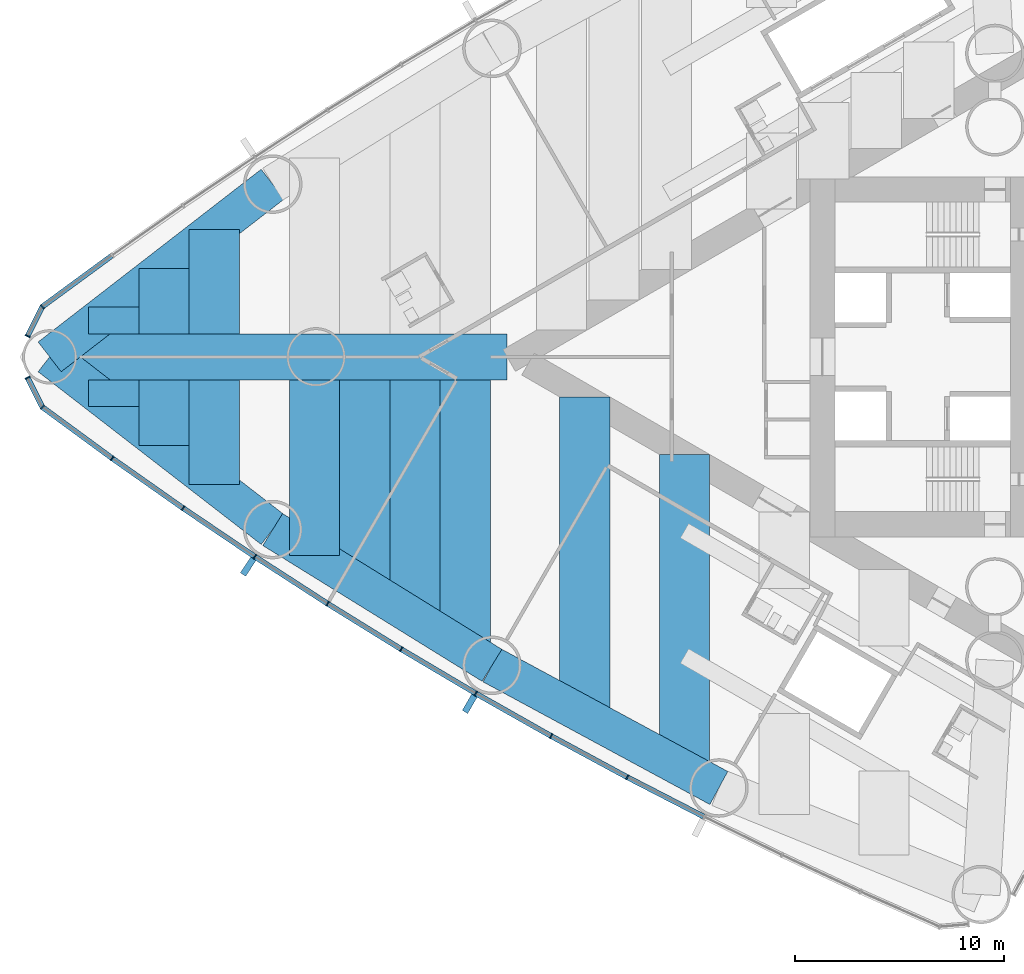
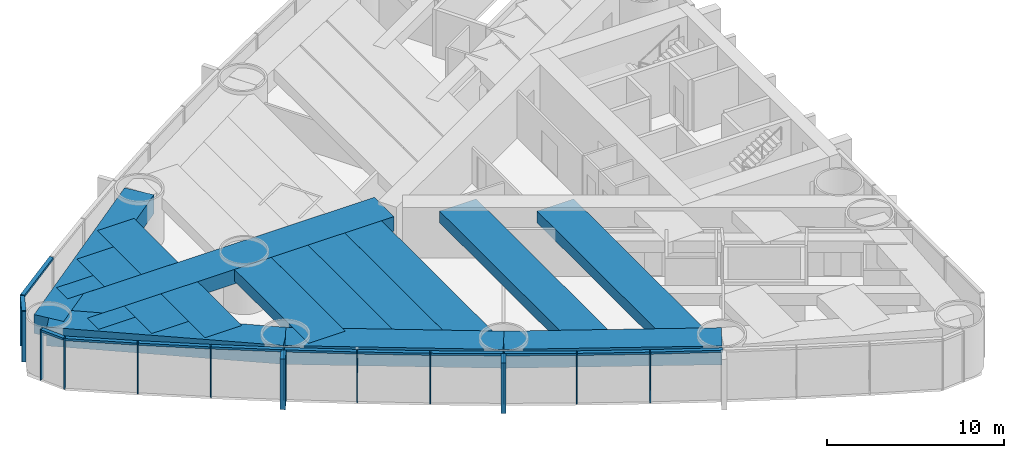
# One storey, part 2 of 18: 26 members, 17 beams, 2 elements without a shape of their own.
"""IFC4 building model written with IfcOpenShell, lengths in metres."""

import ifcopenshell
import ifcopenshell.guid

model = None  # the IFC model being written
_history = None  # IfcOwnerHistory: only IFC2X3 demands one
_inside = {}  # id of a spatial element -> (the spatial element, [elements in it])
_under = {}  # id of a project, library or spatial element -> (it, [spatial elements below it])
_declared = {}  # id of a project -> (the project, [libraries it declares])
_typed = {}  # id of a type object -> (the type object, [elements of that type])
_made_of = {}  # id of a material, layer set ... -> (it, [elements and type objects made of it])


def new_model(schema):
    """Start an empty IFC model of exactly this schema.

    Asked for "IFC4X3", IfcOpenShell would pick the latest addendum, in which some entities
    have other attributes; the version numbers below select the first issue.
    IFC2X3 requires an IfcOwnerHistory on every rooted entity: one is made here for all.
    """
    global model, _history
    if schema == "IFC4X3":
        model = ifcopenshell.file(schema_version=(4, 3, 0, 0))
    else:
        model = ifcopenshell.file(schema=schema)
    _inside.clear()
    _under.clear()
    _declared.clear()
    _typed.clear()
    _made_of.clear()
    _history = None
    if model.schema == "IFC2X3":
        org = make("IfcOrganization", Name="unknown")
        user = make(
            "IfcPersonAndOrganization",
            ThePerson=make("IfcPerson", FamilyName="unknown"),
            TheOrganization=org,
        )
        app = make(
            "IfcApplication",
            ApplicationDeveloper=org,
            Version="unknown",
            ApplicationFullName="unknown",
            ApplicationIdentifier="unknown",
        )
        _history = make(
            "IfcOwnerHistory",
            OwningUser=user,
            OwningApplication=app,
            ChangeAction="ADDED",
            CreationDate=0,
        )
    return model


def make(cls, **values):
    """One entity of the class cls with the attributes given. An attribute that is None is left unset."""
    return model.create_entity(
        cls, **{name: value for name, value in values.items() if value is not None}
    )


def rooted(cls, **values):
    """An entity with a GlobalId (a new one), such as an element, a storey or a relation."""
    return make(cls, GlobalId=ifcopenshell.guid.new(), OwnerHistory=_history, **values)


def si_unit(unit_type, name, prefix=None):
    """IfcSIUnit, for example si_unit("LENGTHUNIT", "METRE", prefix="MILLI")."""
    return make("IfcSIUnit", UnitType=unit_type, Prefix=prefix, Name=name)


def assignment(units):
    """IfcUnitAssignment: the units of a project."""
    return None if units is None else make("IfcUnitAssignment", Units=units)


def point(xyz):
    """IfcCartesianPoint."""
    return None if xyz is None else make("IfcCartesianPoint", Coordinates=xyz)


def direction(xyz):
    """IfcDirection."""
    return None if xyz is None else make("IfcDirection", DirectionRatios=xyz)


def frame(location, z_axis=None, x_axis=None):
    """IfcAxis2Placement3D, a coordinate frame: its origin and axes. An axis left out is left unset."""
    return make(
        "IfcAxis2Placement3D",
        Location=point(location),
        Axis=direction(z_axis),
        RefDirection=direction(x_axis),
    )


def frame_2d(location, x_axis=None):
    """IfcAxis2Placement2D, a coordinate frame in the plane: its origin and x axis."""
    return make(
        "IfcAxis2Placement2D", Location=point(location), RefDirection=direction(x_axis)
    )


def origin():
    """The frame at (0, 0, 0) with its axes left unset."""
    return frame((0.0, 0.0, 0.0))


def origin_2d():
    """The frame at (0, 0) in the plane with its x axis left unset."""
    return frame_2d((0.0, 0.0))


def place(relative_to, where):
    """IfcLocalPlacement: puts the frame where relative to a parent placement (None: the world)."""
    return make(
        "IfcLocalPlacement", PlacementRelTo=relative_to, RelativePlacement=where
    )


def context(
    kind, dimensions, precision=None, world=None, true_north=None, identifier=None
):
    """IfcGeometricRepresentationContext, for example the 3D "Model" context."""
    return make(
        "IfcGeometricRepresentationContext",
        ContextIdentifier=identifier,
        ContextType=kind,
        CoordinateSpaceDimension=dimensions,
        Precision=precision,
        WorldCoordinateSystem=world,
        TrueNorth=true_north,
    )


def subcontext(parent, identifier, kind, view, scale=None):
    """IfcGeometricRepresentationSubContext, for example "Body" below "Model"."""
    return make(
        "IfcGeometricRepresentationSubContext",
        ContextIdentifier=identifier,
        ContextType=kind,
        ParentContext=parent,
        TargetScale=scale,
        TargetView=view,
    )


def project(units=None, contexts=None):
    """IfcProject with its units and contexts."""
    return rooted(
        "IfcProject",
        Name="project",
        RepresentationContexts=contexts,
        UnitsInContext=assignment(units),
    )


def spatial(cls, under=None, at=None, **own):
    """A site, building, storey or space (cls), placed at a placement, below another one or the project."""
    s = rooted(cls, ObjectPlacement=at, **own)
    if under is not None:
        _under.setdefault(under.id(), (under, []))[1].append(s)
    return s


def profile(cls, at=None, kind="AREA", **sizes):
    """A parametric profile (cls). Its sizes go by their IFC names, for example OverallWidth=200.0."""
    return make(cls, ProfileType=kind, Position=at, **sizes)


def rectangle(**sizes):
    """IfcRectangleProfileDef."""
    return profile("IfcRectangleProfileDef", **sizes)


def extrude(swept, where, along, depth):
    """IfcExtrudedAreaSolid: the profile swept, set in the frame where, extruded along a direction by depth."""
    return make(
        "IfcExtrudedAreaSolid",
        SweptArea=swept,
        Position=where,
        ExtrudedDirection=direction(along),
        Depth=depth,
    )


def shape(context_of_items, identifier, shape_type, items):
    """IfcShapeRepresentation: the items that make up one representation, for example the "Body"."""
    return make(
        "IfcShapeRepresentation",
        ContextOfItems=context_of_items,
        RepresentationIdentifier=identifier,
        RepresentationType=shape_type,
        Items=items,
    )


def material(Name=None, Category=None):
    """IfcMaterial."""
    return make("IfcMaterial", Name=Name, Category=Category)


def material_profile(
    of_material, cross_section, Name=None, Category=None, Priority=None
):
    """IfcMaterialProfile: a cross section and its material."""
    return make(
        "IfcMaterialProfile",
        Name=Name,
        Material=of_material,
        Profile=cross_section,
        Priority=Priority,
        Category=Category,
    )


def profile_set(profiles, Name=None, composite=None):
    """IfcMaterialProfileSet."""
    return make(
        "IfcMaterialProfileSet",
        Name=Name,
        MaterialProfiles=profiles,
        CompositeProfile=composite,
    )


def made_of(thing, what):
    """Note that an element or type object is made of a material, layer set ...; save() writes the relation."""
    if what is not None:
        _made_of.setdefault(what.id(), (what, []))[1].append(thing)
    return thing


def type_object(cls, material=None, **own):
    """A type object (cls), such as IfcWallType, which elements share."""
    return made_of(rooted(cls, **own), material)


def element(
    cls,
    number,
    at=None,
    inside=None,
    cuts=None,
    type_object=None,
    material=None,
    context=None,
    identifier="Body",
    shape_type=None,
    held_by="IfcProductDefinitionShape",
    body=None,
    shapes=None,
    **own,
):
    """One element of the class cls, such as IfcWall. Its Tag is "e" and its number.

    at: its placement. inside: the storey or other place that contains it. cuts: it is an
    opening in that element (IfcRelVoidsElement). A single representation is given by context,
    identifier, shape_type and body (its items); several are given by shapes. held_by: the class
    of the entity that holds the representations. save() writes the other relations.
    """
    e = rooted(cls, Tag="e%d" % number, ObjectPlacement=at, **own)
    if body is not None:
        shapes = [shape(context, identifier, shape_type, body)]
    if shapes is not None:
        e.Representation = make(held_by, Representations=shapes)
    if inside is not None:
        _inside.setdefault(inside.id(), (inside, []))[1].append(e)
    if cuts is not None:
        rooted(
            "IfcRelVoidsElement", RelatingBuildingElement=cuts, RelatedOpeningElement=e
        )
    if type_object is not None:
        _typed.setdefault(type_object.id(), (type_object, []))[1].append(e)
    return made_of(e, material)


def aggregate(whole, parts):
    """IfcRelAggregates: a whole, such as a stair, and the parts it consists of."""
    return rooted("IfcRelAggregates", RelatingObject=whole, RelatedObjects=parts)


def save(model, path):
    """Write the relations noted so far, then the file.

    IfcRelAggregates (storeys below a building ...), IfcRelContainedInSpatialStructure (elements
    in a storey), IfcRelDefinesByType, IfcRelAssociatesMaterial and IfcRelDeclares: one each for
    every whole, place, type object, material and project.
    """
    for whole, parts in _under.values():
        aggregate(whole, parts)
    for where, things in _inside.values():
        rooted(
            "IfcRelContainedInSpatialStructure",
            RelatedElements=things,
            RelatingStructure=where,
        )
    for kind, things in _typed.values():
        rooted("IfcRelDefinesByType", RelatedObjects=things, RelatingType=kind)
    for what, things in _made_of.values():
        rooted("IfcRelAssociatesMaterial", RelatedObjects=things, RelatingMaterial=what)
    for by, libraries in _declared.values():
        rooted("IfcRelDeclares", RelatingContext=by, RelatedDefinitions=libraries)
    model.write(path)


model = new_model("IFC4")

# Units and contexts
model_context = context("Model", 3, precision=1e-05, world=origin(), true_north=direction((0.0, 1.0)))
body_context = subcontext(model_context, "Body", "Model", "MODEL_VIEW")
ifc_project = project(units=[si_unit("LENGTHUNIT", "METRE"), si_unit("AREAUNIT", "SQUARE_METRE"), si_unit("VOLUMEUNIT", "CUBIC_METRE"), si_unit("PLANEANGLEUNIT", "RADIAN"), si_unit("MASSUNIT", "GRAM", prefix="KILO")], contexts=[model_context])

# Site, building, storey
site_placement = place(None, origin())
site = spatial("IfcSite", under=ifc_project, at=site_placement, CompositionType="ELEMENT")
building_placement = place(site_placement, origin())
building = spatial("IfcBuilding", under=site, at=building_placement, Name="Lancet Gate Hotel", CompositionType="ELEMENT")
storey_placement = place(building_placement, frame((0.0, 0.0, 53.0)))
storey = spatial("IfcBuildingStorey", under=building, at=storey_placement, Name="L13", CompositionType="ELEMENT", Elevation=53.0)

# Curtain wall, members
ifc_material_1 = material(Name="Aluminium curtain wall", Category="aluminium")
curtain_wall_type = type_object("IfcCurtainWallType", Name="Tower unitised curtain wall", PredefinedType="USERDEFINED", material=ifc_material_1)
curtain_wall_1_placement = place(storey_placement, origin())
curtain_wall_1 = element("IfcCurtainWall", 1, at=curtain_wall_1_placement, inside=storey, type_object=curtain_wall_type, Name="T1 L13 curtain wall 2", ObjectType="UNITISED CURTAIN WALL", PredefinedType="USERDEFINED")
ifc_material_2 = material(Name="Aluminium mullion", Category="aluminium")
ifc_material_profile_1 = material_profile(ifc_material_2, rectangle(XDim=0.06494140625, YDim=0.25, at=origin_2d()), Name="MULLION 65x250")
ifc_profile_set_1 = profile_set([ifc_material_profile_1], Name="Aluminium mullion")
member_type_1 = type_object("IfcMemberType", Name="Aluminium mullion 65x250", PredefinedType="MULLION", material=ifc_profile_set_1)
member_1_placement = place(storey_placement, frame((-74.5830078125, 2.401611328125, 0.0), z_axis=(0.0, 0.0, 1.0), x_axis=(-0.723695580132, -0.690119342793, 0.0)))
member_1 = element("IfcMember", 2, at=member_1_placement, type_object=member_type_1, Name="T1 L13 curtain wall 2 mullion 14", PredefinedType="MULLION", context=body_context, shape_type="SweptSolid", body=[
    extrude(rectangle(XDim=0.06494140625, YDim=0.25, at=origin_2d()), origin(), (0.0, 0.0, 1.0), 3.5),
])
member_2_placement = place(storey_placement, frame((-75.287109375, 0.994873046875, 0.0), z_axis=(0.0, 0.0, 1.0), x_axis=(-0.447628324726, -0.89421970617, 0.0)))
member_2 = element("IfcMember", 3, at=member_2_placement, type_object=member_type_1, Name="T1 L13 curtain wall 2 mullion 15", PredefinedType="MULLION", context=body_context, shape_type="SweptSolid", body=[
    extrude(rectangle(XDim=0.06494140625, YDim=0.25, at=origin_2d()), origin(), (0.0, 0.0, 1.0), 3.5),
])

curtain_wall_2_placement = place(storey_placement, origin())
curtain_wall_2 = element("IfcCurtainWall", 4, at=curtain_wall_2_placement, inside=storey, type_object=curtain_wall_type, Name="T1 L13 curtain wall 3", ObjectType="UNITISED CURTAIN WALL", PredefinedType="USERDEFINED")
member_3_placement = place(storey_placement, frame((-75.287109375, -0.994873046875, 0.0), z_axis=(0.0, 0.0, 1.0), x_axis=(0.447628324726, -0.89421970617, 0.0)))
member_3 = element("IfcMember", 5, at=member_3_placement, type_object=member_type_1, Name="T1 L13 curtain wall 3 mullion 1", PredefinedType="MULLION", context=body_context, shape_type="SweptSolid", body=[
    extrude(rectangle(XDim=0.06494140625, YDim=0.25, at=origin_2d()), origin(), (0.0, 0.0, 1.0), 3.5),
])
member_4_placement = place(storey_placement, frame((-74.5830078125, -2.401611328125, 0.0), z_axis=(0.0, 0.0, 1.0), x_axis=(0.723695580132, -0.690119342793, 0.0)))
member_4 = element("IfcMember", 6, at=member_4_placement, type_object=member_type_1, Name="T1 L13 curtain wall 3 mullion 2", PredefinedType="MULLION", context=body_context, shape_type="SweptSolid", body=[
    extrude(rectangle(XDim=0.06494140625, YDim=0.25, at=origin_2d()), origin(), (0.0, 0.0, 1.0), 3.5),
])
member_5_placement = place(storey_placement, frame((-71.244384765625, -4.85009765625, 0.0), z_axis=(0.0, 0.0, 1.0), x_axis=(0.812146623168, -0.583453393578, 0.0)))
member_5 = element("IfcMember", 7, at=member_5_placement, type_object=member_type_1, Name="T1 L13 curtain wall 3 mullion 3", PredefinedType="MULLION", context=body_context, shape_type="SweptSolid", body=[
    extrude(rectangle(XDim=0.06494140625, YDim=0.25, at=origin_2d()), origin(), (0.0, 0.0, 1.0), 3.5),
])
member_6_placement = place(storey_placement, frame((-67.858154296875, -7.232666015625, 0.0), z_axis=(0.0, 0.0, 1.0), x_axis=(0.823425148573, -0.56742490666, 0.0)))
member_6 = element("IfcMember", 8, at=member_6_placement, type_object=member_type_1, Name="T1 L13 curtain wall 3 mullion 4", PredefinedType="MULLION", context=body_context, shape_type="SweptSolid", body=[
    extrude(rectangle(XDim=0.06494140625, YDim=0.25, at=origin_2d()), origin(), (0.0, 0.0, 1.0), 3.5),
])
member_7_placement = place(storey_placement, frame((-64.42626953125, -9.548583984375, 0.0), z_axis=(0.0, 0.0, 1.0), x_axis=(0.834387381945, -0.55117846189, 0.0)))
member_7 = element("IfcMember", 9, at=member_7_placement, type_object=member_type_1, Name="T1 L13 curtain wall 3 mullion 5", PredefinedType="MULLION", context=body_context, shape_type="SweptSolid", body=[
    extrude(rectangle(XDim=0.06494140625, YDim=0.25, at=origin_2d()), origin(), (0.0, 0.0, 1.0), 3.5),
])
member_8_placement = place(storey_placement, frame((-60.949462890625, -11.796630859375, 0.0), z_axis=(0.0, 0.0, 1.0), x_axis=(0.845029112489, -0.534720299827, 0.0)))
member_8 = element("IfcMember", 10, at=member_8_placement, type_object=member_type_1, Name="T1 L13 curtain wall 3 mullion 6", PredefinedType="MULLION", context=body_context, shape_type="SweptSolid", body=[
    extrude(rectangle(XDim=0.06494140625, YDim=0.25, at=origin_2d()), origin(), (0.0, 0.0, 1.0), 3.5),
])
member_9_placement = place(storey_placement, frame((-57.42919921875, -13.97607421875, 0.0), z_axis=(0.0, 0.0, 1.0), x_axis=(0.855346252548, -0.518056742309, 0.0)))
member_9 = element("IfcMember", 11, at=member_9_placement, type_object=member_type_1, Name="T1 L13 curtain wall 3 mullion 7", PredefinedType="MULLION", context=body_context, shape_type="SweptSolid", body=[
    extrude(rectangle(XDim=0.06494140625, YDim=0.25, at=origin_2d()), origin(), (0.0, 0.0, 1.0), 3.5),
])
member_10_placement = place(storey_placement, frame((-53.866943359375, -16.086181640625, 0.0), z_axis=(0.0, 0.0, 1.0), x_axis=(0.86533483912, -0.501194190115, 0.0)))
member_10 = element("IfcMember", 12, at=member_10_placement, type_object=member_type_1, Name="T1 L13 curtain wall 3 mullion 8", PredefinedType="MULLION", context=body_context, shape_type="SweptSolid", body=[
    extrude(rectangle(XDim=0.06494140625, YDim=0.25, at=origin_2d()), origin(), (0.0, 0.0, 1.0), 3.5),
])
member_11_placement = place(storey_placement, frame((-50.26416015625, -18.1259765625, 0.0), z_axis=(0.0, 0.0, 1.0), x_axis=(0.874991035403, -0.484139120464, 0.0)))
member_11 = element("IfcMember", 13, at=member_11_placement, type_object=member_type_1, Name="T1 L13 curtain wall 3 mullion 9", PredefinedType="MULLION", context=body_context, shape_type="SweptSolid", body=[
    extrude(rectangle(XDim=0.06494140625, YDim=0.25, at=origin_2d()), origin(), (0.0, 0.0, 1.0), 3.5),
])
member_12_placement = place(storey_placement, frame((-46.6220703125, -20.094970703125, 0.0), z_axis=(0.0, 0.0, 1.0), x_axis=(0.884311132302, -0.466898084475, 0.0)))
member_12 = element("IfcMember", 14, at=member_12_placement, type_object=member_type_1, Name="T1 L13 curtain wall 3 mullion 10", PredefinedType="MULLION", context=body_context, shape_type="SweptSolid", body=[
    extrude(rectangle(XDim=0.06494140625, YDim=0.25, at=origin_2d()), origin(), (0.0, 0.0, 1.0), 3.5),
])

# Member
ifc_material_3 = material(Name="Aluminium transom", Category="aluminium")
ifc_material_profile_2 = material_profile(ifc_material_3, rectangle(XDim=0.25, YDim=0.14990234375, at=origin_2d()), Name="TRANSOM 250x150")
ifc_profile_set_2 = profile_set([ifc_material_profile_2], Name="Aluminium transom")
member_type_2 = type_object("IfcMemberType", Name="Aluminium transom 250x150", PredefinedType="USERDEFINED", material=ifc_profile_set_2)
member_13_placement = place(storey_placement, frame((-71.2705078125, 4.8310546875, 3.425048828125), z_axis=(-0.806366902144, -0.59141560609, 0.0), x_axis=(0.59141560609, -0.806366902144, 0.0)))
member_13 = element("IfcMember", 15, at=member_13_placement, type_object=member_type_2, Name="T1 L13 curtain wall 2 transom 13", ObjectType="TRANSOM", PredefinedType="USERDEFINED", context=body_context, shape_type="SweptSolid", body=[
    extrude(rectangle(XDim=0.25, YDim=0.14990234375, at=origin_2d()), origin(), (0.0, 0.0, 1.0), 4.0751953125),
])

member_14_placement = place(storey_placement, frame((-74.597412109375, 2.37255859375, 3.425048828125), z_axis=(-0.447731503446, -0.894168049542, 0.0), x_axis=(0.894168049542, -0.447731503446, 0.0)))
member_14 = element("IfcMember", 16, at=member_14_placement, type_object=member_type_2, Name="T1 L13 curtain wall 2 transom 14", ObjectType="TRANSOM", PredefinedType="USERDEFINED", context=body_context, shape_type="SweptSolid", body=[
    extrude(rectangle(XDim=0.25, YDim=0.14990234375, at=origin_2d()), origin(), (0.0, 0.0, 1.0), 1.50830078125),
])

aggregate(curtain_wall_1, [member_1, member_2, member_13, member_14])

member_15_placement = place(storey_placement, frame((-75.272705078125, -1.02392578125, 3.425048828125), z_axis=(0.447731503446, -0.894168049542, 0.0), x_axis=(0.894168049542, 0.447731503446, 0.0)))
member_15 = element("IfcMember", 17, at=member_15_placement, type_object=member_type_2, Name="T1 L13 curtain wall 3 transom 1", ObjectType="TRANSOM", PredefinedType="USERDEFINED", context=body_context, shape_type="SweptSolid", body=[
    extrude(rectangle(XDim=0.25, YDim=0.14990234375, at=origin_2d()), origin(), (0.0, 0.0, 1.0), 1.50830078125),
])

member_16_placement = place(storey_placement, frame((-74.556640625, -2.4208984375, 3.425048828125), z_axis=(0.806366902144, -0.59141560609, 0.0), x_axis=(0.59141560609, 0.806366902144, 0.0)))
member_16 = element("IfcMember", 18, at=member_16_placement, type_object=member_type_2, Name="T1 L13 curtain wall 3 transom 2", ObjectType="TRANSOM", PredefinedType="USERDEFINED", context=body_context, shape_type="SweptSolid", body=[
    extrude(rectangle(XDim=0.25, YDim=0.14990234375, at=origin_2d()), origin(), (0.0, 0.0, 1.0), 4.0751953125),
])

member_17_placement = place(storey_placement, frame((-71.2177734375, -4.868896484375, 3.425048828125), z_axis=(0.817833568345, -0.57545482402, 0.0), x_axis=(0.57545482402, 0.817833568345, 0.0)))
member_17 = element("IfcMember", 19, at=member_17_placement, type_object=member_type_2, Name="T1 L13 curtain wall 3 transom 3", ObjectType="TRANSOM", PredefinedType="USERDEFINED", context=body_context, shape_type="SweptSolid", body=[
    extrude(rectangle(XDim=0.25, YDim=0.14990234375, at=origin_2d()), origin(), (0.0, 0.0, 1.0), 4.075439453125),
])

member_18_placement = place(storey_placement, frame((-67.831298828125, -7.2509765625, 3.425048828125), z_axis=(0.828959086782, -0.559309245804, 0.0), x_axis=(0.559309245804, 0.828959086782, 0.0)))
member_18 = element("IfcMember", 20, at=member_18_placement, type_object=member_type_2, Name="T1 L13 curtain wall 3 transom 4", ObjectType="TRANSOM", PredefinedType="USERDEFINED", context=body_context, shape_type="SweptSolid", body=[
    extrude(rectangle(XDim=0.25, YDim=0.14990234375, at=origin_2d()), origin(), (0.0, 0.0, 1.0), 4.0751953125),
])

member_19_placement = place(storey_placement, frame((-64.39892578125, -9.566162109375, 3.425048828125), z_axis=(0.839729242404, -0.543005340169, 0.0), x_axis=(0.543005340169, 0.839729242404, 0.0)))
member_19 = element("IfcMember", 21, at=member_19_placement, type_object=member_type_2, Name="T1 L13 curtain wall 3 transom 5", ObjectType="TRANSOM", PredefinedType="USERDEFINED", context=body_context, shape_type="SweptSolid", body=[
    extrude(rectangle(XDim=0.25, YDim=0.14990234375, at=origin_2d()), origin(), (0.0, 0.0, 1.0), 4.0751953125),
])

member_20_placement = place(storey_placement, frame((-60.921875, -11.813720703125, 3.425048828125), z_axis=(0.850242165643, -0.526391736032, 0.0), x_axis=(0.526391736032, 0.850242165643, 0.0)))
member_20 = element("IfcMember", 22, at=member_20_placement, type_object=member_type_2, Name="T1 L13 curtain wall 3 transom 6", ObjectType="TRANSOM", PredefinedType="USERDEFINED", context=body_context, shape_type="SweptSolid", body=[
    extrude(rectangle(XDim=0.25, YDim=0.14990234375, at=origin_2d()), origin(), (0.0, 0.0, 1.0), 4.075439453125),
])

member_21_placement = place(storey_placement, frame((-57.4013671875, -13.99267578125, 3.425048828125), z_axis=(0.86039174806, -0.509633240547, 0.0), x_axis=(0.509633240547, 0.86039174806, 0.0)))
member_21 = element("IfcMember", 23, at=member_21_placement, type_object=member_type_2, Name="T1 L13 curtain wall 3 transom 7", ObjectType="TRANSOM", PredefinedType="USERDEFINED", context=body_context, shape_type="SweptSolid", body=[
    extrude(rectangle(XDim=0.25, YDim=0.14990234375, at=origin_2d()), origin(), (0.0, 0.0, 1.0), 4.0751953125),
])

member_22_placement = place(storey_placement, frame((-53.838623046875, -16.102294921875, 3.425048828125), z_axis=(0.870197729943, -0.492702659625, 0.0), x_axis=(0.492702659625, 0.870197729943, 0.0)))
member_22 = element("IfcMember", 24, at=member_22_placement, type_object=member_type_2, Name="T1 L13 curtain wall 3 transom 8", ObjectType="TRANSOM", PredefinedType="USERDEFINED", context=body_context, shape_type="SweptSolid", body=[
    extrude(rectangle(XDim=0.25, YDim=0.14990234375, at=origin_2d()), origin(), (0.0, 0.0, 1.0), 4.0751953125),
])

member_23_placement = place(storey_placement, frame((-50.235595703125, -18.1416015625, 3.425048828125), z_axis=(0.87971396408, -0.475503250675, 0.0), x_axis=(0.475503250675, 0.87971396408, 0.0)))
member_23 = element("IfcMember", 25, at=member_23_placement, type_object=member_type_2, Name="T1 L13 curtain wall 3 transom 9", ObjectType="TRANSOM", PredefinedType="USERDEFINED", context=body_context, shape_type="SweptSolid", body=[
    extrude(rectangle(XDim=0.25, YDim=0.14990234375, at=origin_2d()), origin(), (0.0, 0.0, 1.0), 4.0751953125),
])

member_24_placement = place(storey_placement, frame((-46.593017578125, -20.10986328125, 3.425048828125), z_axis=(0.888859972399, -0.458178949175, 0.0), x_axis=(0.458178949175, 0.888859972399, 0.0)))
member_24 = element("IfcMember", 26, at=member_24_placement, type_object=member_type_2, Name="T1 L13 curtain wall 3 transom 10", ObjectType="TRANSOM", PredefinedType="USERDEFINED", context=body_context, shape_type="SweptSolid", body=[
    extrude(rectangle(XDim=0.25, YDim=0.14990234375, at=origin_2d()), origin(), (0.0, 0.0, 1.0), 4.0751953125),
])

# Beams
ifc_material_4 = material(Name="Concrete C50/60", Category="concrete")
ifc_material_profile_3 = material_profile(ifc_material_4, rectangle(XDim=1.800048828125, YDim=1.300048828125, at=origin_2d()), Name="RC 1800x1300")
ifc_profile_set_3 = profile_set([ifc_material_profile_3], Name="Concrete C50/60")
beam_type_1 = type_object("IfcBeamType", Name="Edge beam RC 1800x1300", PredefinedType="SPANDREL", material=ifc_profile_set_3)
for number, where, z_axis, x_axis, name in (
    (27, (-63.57177734375, 8.255126953125, 2.60009765625), (-0.790736428665, -0.612156761281, 0.0), (0.612156761281, -0.790736428665, 0.0), "T1 edge beam EB1 L13"),
    (28, (-74.235107421875, 0.0, 2.60009765625), (0.790736428665, -0.612156761281, 0.0), (0.612156761281, 0.790736428665, 0.0), "T1 edge beam EB1 L13"),
):
    element("IfcBeam", number, at=place(storey_placement, frame(where, z_axis=z_axis, x_axis=x_axis)), inside=storey, type_object=beam_type_1, Name=name, PredefinedType="SPANDREL", context=body_context, shape_type="SweptSolid", body=[
        extrude(rectangle(XDim=1.800048828125, YDim=1.300048828125, at=origin_2d()), origin(), (0.0, 0.0, 1.0), 13.4853515625),
    ])
for number, where, z_axis, x_axis, name in (
    (29, (-63.57177734375, -8.255126953125, 2.60009765625), (0.850225894333, -0.526418016984, 0.0), (0.526418016984, 0.850225894333, 0.0), "T1 edge beam EB1 L13"),
    (30, (-53.090087890625, -14.744873046875, 2.60009765625), (0.879692855603, -0.475542300749, 0.0), (0.475542300749, 0.879692855603, 0.0), "T1 edge beam EB1 L13"),
):
    element("IfcBeam", number, at=place(storey_placement, frame(where, z_axis=z_axis, x_axis=x_axis)), inside=storey, type_object=beam_type_1, Name=name, PredefinedType="SPANDREL", context=body_context, shape_type="SweptSolid", body=[
        extrude(rectangle(XDim=1.800048828125, YDim=1.300048828125, at=origin_2d()), origin(), (0.0, 0.0, 1.0), 12.328125),
    ])

# Member
ifc_material_5 = material(Name="Precast concrete C50/60", Category="concrete")
ifc_material_profile_4 = material_profile(ifc_material_5, rectangle(XDim=0.300048828125, YDim=0.89990234375, at=origin_2d()), Name="FIN 300x900")
ifc_profile_set_4 = profile_set([ifc_material_profile_4], Name="Precast concrete C50/60")
member_type_3 = type_object("IfcMemberType", Name="Exposed concrete fin 300x900", PredefinedType="USERDEFINED", material=ifc_profile_set_4)
member_25_placement = place(storey_placement, frame((-64.7431640625, -10.0283203125, 0.0), z_axis=(0.0, 0.0, 1.0), x_axis=(0.834387381945, -0.55117846189, 0.0)))
member_25 = element("IfcMember", 31, at=member_25_placement, type_object=member_type_3, Name="T1 L13 curtain wall 3 fin 5", ObjectType="FIN", PredefinedType="USERDEFINED", context=body_context, shape_type="SweptSolid", body=[
    extrude(rectangle(XDim=0.300048828125, YDim=0.89990234375, at=origin_2d()), origin(), (0.0, 0.0, 1.0), 3.5),
])

member_26_placement = place(storey_placement, frame((-54.1552734375, -16.583740234375, 0.0), z_axis=(0.0, 0.0, 1.0), x_axis=(0.86533483912, -0.501194190115, 0.0)))
member_26 = element("IfcMember", 32, at=member_26_placement, type_object=member_type_3, Name="T1 L13 curtain wall 3 fin 8", ObjectType="FIN", PredefinedType="USERDEFINED", context=body_context, shape_type="SweptSolid", body=[
    extrude(rectangle(XDim=0.300048828125, YDim=0.89990234375, at=origin_2d()), origin(), (0.0, 0.0, 1.0), 3.5),
])

aggregate(curtain_wall_2, [member_3, member_4, member_5, member_6, member_7, member_25, member_8, member_9, member_10, member_26, member_11, member_12, member_15, member_16, member_17, member_18, member_19, member_20, member_21, member_22, member_23, member_24])

# Beams
ifc_material_6 = material(Name="Concrete C50/60", Category="concrete")
ifc_material_profile_5 = material_profile(ifc_material_6, rectangle(XDim=2.39990234375, YDim=0.800048828125, at=origin_2d()), Name="RC 2400x800")
ifc_profile_set_5 = profile_set([ifc_material_profile_5], Name="Concrete C50/60")
beam_type_2 = type_object("IfcBeamType", Name="Floor beam RC 2400x800", PredefinedType="BEAM", material=ifc_profile_set_5)
beam_1_placement = place(storey_placement, frame((-43.891357421875, -4.663330078125, 2.85009765625), z_axis=(0.0, -1.0, 0.0), x_axis=(1.0, 0.0, 0.0)))
element("IfcBeam", 33, at=beam_1_placement, inside=storey, type_object=beam_type_2, Name="T1 floor beam F08N L13", PredefinedType="BEAM", context=body_context, shape_type="SweptSolid", body=[
    extrude(rectangle(XDim=2.39990234375, YDim=0.800048828125, at=origin_2d()), origin(), (0.0, 0.0, 1.0), 15.05419921875),
])
beam_2_placement = place(storey_placement, frame((-48.66015625, -1.909912109375, 2.85009765625), z_axis=(0.0, -1.0, 0.0), x_axis=(1.0, 0.0, 0.0)))
element("IfcBeam", 34, at=beam_2_placement, inside=storey, type_object=beam_type_2, Name="T1 floor beam F11N L13", PredefinedType="BEAM", context=body_context, shape_type="SweptSolid", body=[
    extrude(rectangle(XDim=2.39990234375, YDim=0.800048828125, at=origin_2d()), origin(), (0.0, 0.0, 1.0), 15.229736328125),
])
beam_3_placement = place(storey_placement, frame((-54.3681640625, -1.10009765625, 2.85009765625), z_axis=(0.0, -1.0, 0.0), x_axis=(1.0, 0.0, 0.0)))
element("IfcBeam", 35, at=beam_3_placement, inside=storey, type_object=beam_type_2, Name="T1 floor beam F14N L13", PredefinedType="BEAM", context=body_context, shape_type="SweptSolid", body=[
    extrude(rectangle(XDim=2.39990234375, YDim=0.800048828125, at=origin_2d()), origin(), (0.0, 0.0, 1.0), 12.853515625),
])
beam_4_placement = place(storey_placement, frame((-56.768310546875, -1.10009765625, 2.85009765625), z_axis=(0.0, -1.0, 0.0), x_axis=(1.0, 0.0, 0.0)))
element("IfcBeam", 36, at=beam_4_placement, inside=storey, type_object=beam_type_2, Name="T1 floor beam F16N L13", PredefinedType="BEAM", context=body_context, shape_type="SweptSolid", body=[
    extrude(rectangle(XDim=2.39990234375, YDim=0.800048828125, at=origin_2d()), origin(), (0.0, 0.0, 1.0), 11.367431640625),
])
beam_5_placement = place(storey_placement, frame((-59.168212890625, -1.10009765625, 2.85009765625), z_axis=(0.0, -1.0, 0.0), x_axis=(1.0, 0.0, 0.0)))
element("IfcBeam", 37, at=beam_5_placement, inside=storey, type_object=beam_type_2, Name="T1 floor beam F18N L13", PredefinedType="BEAM", context=body_context, shape_type="SweptSolid", body=[
    extrude(rectangle(XDim=2.39990234375, YDim=0.800048828125, at=origin_2d()), origin(), (0.0, 0.0, 1.0), 9.881591796875),
])
beam_6_placement = place(storey_placement, frame((-61.568359375, -1.10009765625, 2.85009765625), z_axis=(0.0, -1.0, 0.0), x_axis=(1.0, 0.0, 0.0)))
element("IfcBeam", 38, at=beam_6_placement, inside=storey, type_object=beam_type_2, Name="T1 floor beam F20N L13", PredefinedType="BEAM", context=body_context, shape_type="SweptSolid", body=[
    extrude(rectangle(XDim=2.39990234375, YDim=0.800048828125, at=origin_2d()), origin(), (0.0, 0.0, 1.0), 8.395751953125),
])
for number, where, z_axis, x_axis, name in (
    (39, (-66.3681640625, 6.09033203125, 2.85009765625), (0.0, -1.0, 0.0), (1.0, 0.0, 0.0), "T1 floor beam F21S L13"),
    (40, (-66.3681640625, -1.10009765625, 2.85009765625), (0.0, -1.0, 0.0), (1.0, 0.0, 0.0), "T1 floor beam F22N L13"),
):
    element("IfcBeam", number, at=place(storey_placement, frame(where, z_axis=z_axis, x_axis=x_axis)), inside=storey, type_object=beam_type_2, Name=name, PredefinedType="BEAM", context=body_context, shape_type="SweptSolid", body=[
        extrude(rectangle(XDim=2.39990234375, YDim=0.800048828125, at=origin_2d()), origin(), (0.0, 0.0, 1.0), 4.990234375),
    ])
for number, where, z_axis, x_axis, name in (
    (41, (-68.768310546875, 4.232421875, 2.85009765625), (0.0, -1.0, 0.0), (1.0, 0.0, 0.0), "T1 floor beam F23S L13"),
    (42, (-68.768310546875, -1.10009765625, 2.85009765625), (0.0, -1.0, 0.0), (1.0, 0.0, 0.0), "T1 floor beam F24N L13"),
):
    element("IfcBeam", number, at=place(storey_placement, frame(where, z_axis=z_axis, x_axis=x_axis)), inside=storey, type_object=beam_type_2, Name=name, PredefinedType="BEAM", context=body_context, shape_type="SweptSolid", body=[
        extrude(rectangle(XDim=2.39990234375, YDim=0.800048828125, at=origin_2d()), origin(), (0.0, 0.0, 1.0), 3.13232421875),
    ])
for number, where, z_axis, x_axis, name in (
    (43, (-71.168212890625, 2.374267578125, 2.85009765625), (0.0, -1.0, 0.0), (1.0, 0.0, 0.0), "T1 floor beam F25S L13"),
    (44, (-71.168212890625, -1.10009765625, 2.85009765625), (0.0, -1.0, 0.0), (1.0, 0.0, 0.0), "T1 floor beam F26N L13"),
):
    element("IfcBeam", number, at=place(storey_placement, frame(where, z_axis=z_axis, x_axis=x_axis)), inside=storey, type_object=beam_type_2, Name=name, PredefinedType="BEAM", context=body_context, shape_type="SweptSolid", body=[
        extrude(rectangle(XDim=2.39990234375, YDim=0.800048828125, at=origin_2d()), origin(), (0.0, 0.0, 1.0), 1.274169921875),
    ])
ifc_material_7 = material(Name="Concrete C50/60", Category="concrete")
ifc_material_profile_6 = material_profile(ifc_material_7, rectangle(XDim=2.199951171875, YDim=1.0, at=origin_2d()), Name="RC 2200x1000")
ifc_profile_set_6 = profile_set([ifc_material_profile_6], Name="Concrete C50/60")
beam_type_3 = type_object("IfcBeamType", Name="Radial floor beam RC 2200x1000", PredefinedType="BEAM", material=ifc_profile_set_6)
beam_7_placement = place(storey_placement, frame((-74.235107421875, 0.0, 2.75), z_axis=(1.0, 0.0, 0.0), x_axis=(0.0, 1.0, 0.0)))
element("IfcBeam", 45, at=beam_7_placement, inside=storey, type_object=beam_type_3, Name="T1 radial beam CA L13", PredefinedType="BEAM", context=body_context, shape_type="SweptSolid", body=[
    extrude(rectangle(XDim=2.199951171875, YDim=1.0, at=origin_2d()), origin(), (0.0, 0.0, 1.0), 21.866943359375),
])

save(model, "model.ifc")
